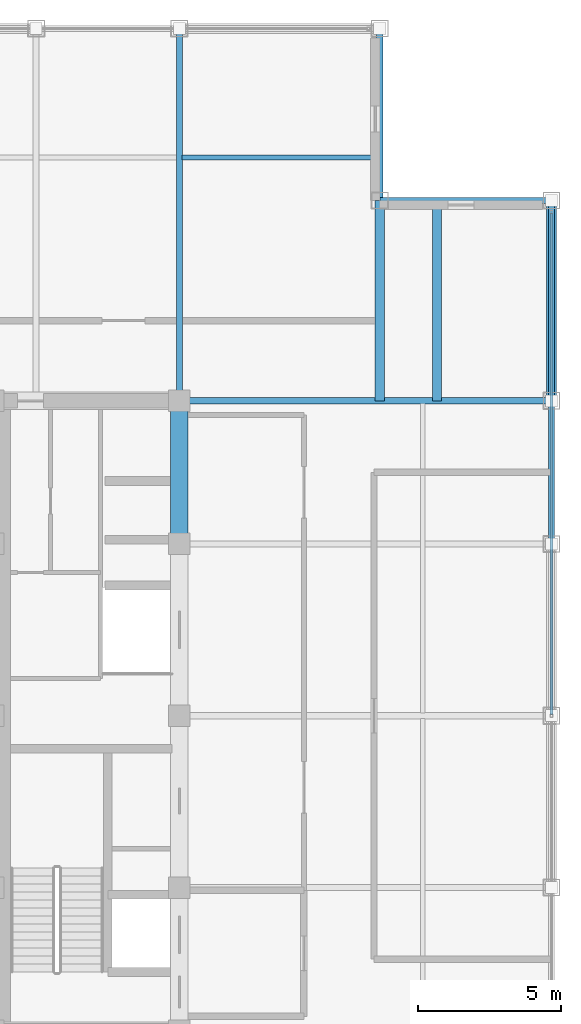
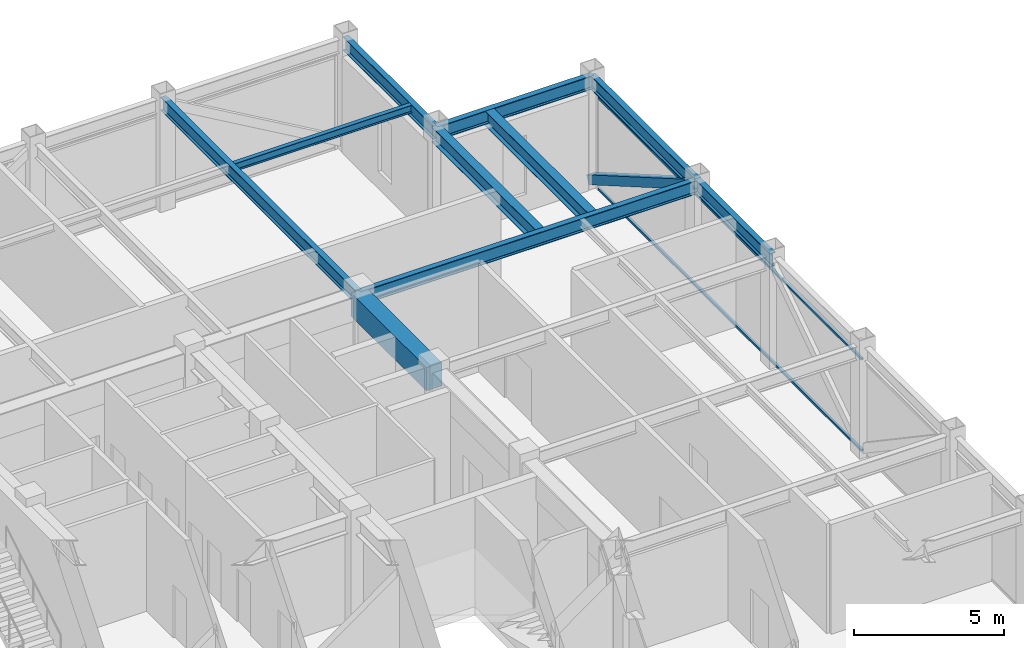
# One storey, part 19 of 27: 10 beams, 3 members, 1 element without a shape of its own.
"""IFC4 building model written with IfcOpenShell, lengths in metres."""

from ifc_helpers import new_model, si_unit, direction, frame, origin, origin_2d, place, context, subcontext, project, spatial, rectangle, hollow_rectangle, i_section, extrude, source, transform, mapped, material, material_profile, profile_set, type_object, element, aggregate, save


model = new_model("IFC4")

# Units and contexts
model_context = context("Model", 3, precision=1e-05, world=origin(), true_north=direction((0.0, 1.0)))
body_context = subcontext(model_context, "Body", "Model", "MODEL_VIEW")
ifc_project = project(units=[si_unit("LENGTHUNIT", "METRE"), si_unit("AREAUNIT", "SQUARE_METRE"), si_unit("VOLUMEUNIT", "CUBIC_METRE"), si_unit("PLANEANGLEUNIT", "RADIAN"), si_unit("MASSUNIT", "GRAM", prefix="KILO")], contexts=[model_context])

# Site, building, storey
site_placement = place(None, origin())
site = spatial("IfcSite", under=ifc_project, at=site_placement, CompositionType="ELEMENT")
building_placement = place(site_placement, origin())
building = spatial("IfcBuilding", under=site, at=building_placement, Name="Khorayat Bourse Tower", CompositionType="ELEMENT")
storey_placement = place(building_placement, frame((0.0, 0.0, 380.300048828125)))
storey = spatial("IfcBuildingStorey", under=building, at=storey_placement, Name="L90", CompositionType="ELEMENT", Elevation=380.300048828125)

# Beams
ifc_material_1 = material(Name="Concrete C60/75", Category="concrete")
ifc_material_profile_1 = material_profile(ifc_material_1, rectangle(XDim=0.60009765625, YDim=0.949951171875, at=origin_2d()), Name="RC 600x950")
ifc_profile_set_1 = profile_set([ifc_material_profile_1], Name="Concrete C60/75")
beam_type_1 = type_object("IfcBeamType", Name="BM-COUP-950", PredefinedType="BEAM", material=ifc_profile_set_1)
shared_shape_1 = source(origin(), body_context, "Body", "SweptSolid", [
    extrude(rectangle(XDim=0.60009765625, YDim=0.949951171875, at=origin_2d()), origin(), (0.0, 0.0, 1.0), 5.0),
])
beam_1_placement = place(storey_placement, frame((11.0, 6.0, 3.974853515625), z_axis=(0.0, 1.0, 0.0), x_axis=(-1.0, 0.0, 0.0)))
element("IfcBeam", 1, at=beam_1_placement, inside=storey, type_object=beam_type_1, Name="L90 BM-COUP-950 BM-L90-CRX-16", PredefinedType="BEAM", context=body_context, shape_type="MappedRepresentation", body=[
    mapped(shared_shape_1, transform((0.0, 0.0, 0.0), scale=1.0)),
])
ifc_material_2 = material(Name="Steel ASTM A992 Grade 50", Category="steel")
ifc_material_profile_2 = material_profile(ifc_material_2, i_section(OverallWidth=0.214111328125, OverallDepth=0.549072265625, WebThickness=0.0146484375, FlangeThickness=0.023681640625, FilletRadius=0.013916015625, at=origin_2d()), Name="W530X138")
ifc_profile_set_2 = profile_set([ifc_material_profile_2], Name="Steel ASTM A992 Grade 50")
beam_type_2 = type_object("IfcBeamType", Name="BM-SPAN-530", PredefinedType="SPANDREL", material=ifc_profile_set_2)
shared_shape_2 = source(origin(), body_context, "Body", "SweptSolid", [
    extrude(i_section(OverallWidth=0.214111328125, OverallDepth=0.549072265625, WebThickness=0.0146484375, FlangeThickness=0.023681640625, FilletRadius=0.013916015625, at=origin_2d()), origin(), (0.0, 0.0, 1.0), 5.0),
])
beam_2_placement = place(storey_placement, frame((24.0, 6.0, 4.175537109375), z_axis=(0.0, 1.0, 0.0), x_axis=(-1.0, 0.0, 0.0)))
element("IfcBeam", 2, at=beam_2_placement, inside=storey, type_object=beam_type_2, Name="L90 BM-SPAN-530 BM-L90-SPN-036", PredefinedType="SPANDREL", context=body_context, shape_type="MappedRepresentation", body=[
    mapped(shared_shape_2, transform((0.0, 0.0, 0.0), scale=1.0)),
])
shared_shape_3 = source(origin(), body_context, "Body", "SweptSolid", [
    extrude(i_section(OverallWidth=0.214111328125, OverallDepth=0.549072265625, WebThickness=0.0146484375, FlangeThickness=0.023681640625, FilletRadius=0.013916015625, at=origin_2d()), origin(), (0.0, 0.0, 1.0), 6.0),
])
for number, where, z_axis, x_axis, name in (
    (3, (18.0, 18.0, 4.175537109375), (1.0, 0.0, 0.0), (0.0, 1.0, 0.0), "L90 BM-SPAN-530 BM-L90-SPN-038"),
    (4, (18.0, 18.0, 4.175537109375), (0.0, 1.0, 0.0), (-1.0, 0.0, 0.0), "L90 BM-SPAN-530 BM-L90-SPN-039"),
):
    element("IfcBeam", number, at=place(storey_placement, frame(where, z_axis=z_axis, x_axis=x_axis)), inside=storey, type_object=beam_type_2, Name=name, PredefinedType="SPANDREL", context=body_context, shape_type="MappedRepresentation", body=[
        mapped(shared_shape_3, transform((0.0, 0.0, 0.0), scale=1.0)),
    ])
shared_shape_4 = source(origin(), body_context, "Body", "SweptSolid", [
    extrude(i_section(OverallWidth=0.214111328125, OverallDepth=0.549072265625, WebThickness=0.0146484375, FlangeThickness=0.023681640625, FilletRadius=0.013916015625, at=origin_2d()), origin(), (0.0, 0.0, 1.0), 7.0),
])
beam_3_placement = place(storey_placement, frame((24.0, 11.0, 4.175537109375), z_axis=(0.0, 1.0, 0.0), x_axis=(-1.0, 0.0, 0.0)))
element("IfcBeam", 5, at=beam_3_placement, inside=storey, type_object=beam_type_2, Name="L90 BM-SPAN-530 BM-L90-SPN-037", PredefinedType="SPANDREL", context=body_context, shape_type="MappedRepresentation", body=[
    mapped(shared_shape_4, transform((0.0, 0.0, 0.0), scale=1.0)),
])
ifc_material_profile_3 = material_profile(ifc_material_2, i_section(OverallWidth=0.214111328125, OverallDepth=0.549072265625, WebThickness=0.0146484375, FlangeThickness=0.023681640625, FilletRadius=0.013916015625, at=origin_2d()), Name="W530X138")
ifc_profile_set_3 = profile_set([ifc_material_profile_3], Name="Steel ASTM A992 Grade 50")
beam_type_3 = type_object("IfcBeamType", Name="BM-GIRD-530", PredefinedType="BEAM", material=ifc_profile_set_3)
shared_shape_5 = source(origin(), body_context, "Body", "SweptSolid", [
    extrude(i_section(OverallWidth=0.214111328125, OverallDepth=0.549072265625, WebThickness=0.0146484375, FlangeThickness=0.023681640625, FilletRadius=0.013916015625, at=origin_2d()), origin(), (0.0, 0.0, 1.0), 13.0),
])
for number, where, z_axis, x_axis, name in (
    (6, (11.0, 11.0, 4.175537109375), (0.0, 1.0, 0.0), (-1.0, 0.0, 0.0), "L90 BM-GIRD-530 BM-L90-RADY-064"),
    (7, (11.0, 11.0, 4.175537109375), (1.0, 0.0, 0.0), (0.0, 1.0, 0.0), "L90 BM-GIRD-530 BM-L90-RADX-074"),
):
    element("IfcBeam", number, at=place(storey_placement, frame(where, z_axis=z_axis, x_axis=x_axis)), inside=storey, type_object=beam_type_3, Name=name, PredefinedType="BEAM", context=body_context, shape_type="MappedRepresentation", body=[
        mapped(shared_shape_5, transform((0.0, 0.0, 0.0), scale=1.0)),
    ])
ifc_material_profile_4 = material_profile(ifc_material_2, i_section(OverallWidth=0.324951171875, OverallDepth=0.615966796875, WebThickness=0.013916015625, FlangeThickness=0.021484375, FilletRadius=0.01611328125, at=origin_2d()), Name="W610X174")
ifc_profile_set_4 = profile_set([ifc_material_profile_4], Name="Steel ASTM A992 Grade 50")
beam_type_4 = type_object("IfcBeamType", Name="BM-GIRD-610", PredefinedType="BEAM", material=ifc_profile_set_4)
shared_shape_6 = source(origin(), body_context, "Body", "SweptSolid", [
    extrude(i_section(OverallWidth=0.324951171875, OverallDepth=0.615966796875, WebThickness=0.013916015625, FlangeThickness=0.021484375, FilletRadius=0.01611328125, at=origin_2d()), origin(), (0.0, 0.0, 1.0), 7.0),
])
for number, where, z_axis, x_axis, name in (
    (8, (18.0, 11.0, 4.141845703125), (0.0, 1.0, 0.0), (-1.0, 0.0, 0.0), "L90 BM-GIRD-610 BM-L90-CNRY-079"),
    (9, (20.0, 11.0, 4.141845703125), (0.0, 1.0, 0.0), (-1.0, 0.0, 0.0), "L90 BM-GIRD-610 BM-L90-CNRY-083"),
):
    element("IfcBeam", number, at=place(storey_placement, frame(where, z_axis=z_axis, x_axis=x_axis)), inside=storey, type_object=beam_type_4, Name=name, PredefinedType="BEAM", context=body_context, shape_type="MappedRepresentation", body=[
        mapped(shared_shape_6, transform((0.0, 0.0, 0.0), scale=1.0)),
    ])
ifc_material_profile_5 = material_profile(ifc_material_2, i_section(OverallWidth=0.1669921875, OverallDepth=0.31689453125, WebThickness=0.007568359375, FlangeThickness=0.01318359375, FilletRadius=0.010009765625, at=origin_2d()), Name="W310X52")
ifc_profile_set_5 = profile_set([ifc_material_profile_5], Name="Steel ASTM A992 Grade 50")
beam_type_5 = type_object("IfcBeamType", Name="BM-JOIST-310", PredefinedType="JOIST", material=ifc_profile_set_5)
shared_shape_7 = source(origin(), body_context, "Body", "SweptSolid", [
    extrude(i_section(OverallWidth=0.1669921875, OverallDepth=0.31689453125, WebThickness=0.007568359375, FlangeThickness=0.01318359375, FilletRadius=0.010009765625, at=origin_2d()), origin(), (0.0, 0.0, 1.0), 6.81005859375),
])
beam_4_placement = place(storey_placement, frame((11.094970703125, 19.5, 4.29150390625), z_axis=(1.0, 0.0, 0.0), x_axis=(0.0, 1.0, 0.0)))
element("IfcBeam", 10, at=beam_4_placement, inside=storey, type_object=beam_type_5, Name="L90 BM-JOIST-310 BM-L90-JSTX-089", PredefinedType="JOIST", context=body_context, shape_type="MappedRepresentation", body=[
    mapped(shared_shape_7, transform((0.0, 0.0, 0.0), scale=1.0)),
])

# Member
ifc_material_3 = material(Name="Steel EN 10025-2 S355J2", Category="steel")
ifc_material_profile_6 = material_profile(ifc_material_3, hollow_rectangle(XDim=0.35009765625, YDim=0.35009765625, WallThickness=0.02001953125, at=origin_2d()), Name="HSS 350x350x20")
ifc_profile_set_6 = profile_set([ifc_material_profile_6], Name="Steel EN 10025-2 S355J2")
member_type_1 = type_object("IfcMemberType", Name="MBR-CROWN-350", PredefinedType="USERDEFINED", material=ifc_profile_set_6)
shared_shape_8 = source(origin(), body_context, "Body", "SweptSolid", [
    extrude(hollow_rectangle(XDim=0.35009765625, YDim=0.35009765625, WallThickness=0.02001953125, at=origin_2d()), origin(), (0.0, 0.0, 1.0), 8.087158203125),
])
member_1_placement = place(storey_placement, frame((24.0, 11.0, 4.25), z_axis=(0.0, 0.865564731219, -0.500797060763), x_axis=(-1.0, 0.0, 0.0)))
element("IfcMember", 11, at=member_1_placement, inside=storey, type_object=member_type_1, Name="L90 Lantern Crown Frame Member 16", ObjectType="CROWN FRAME", PredefinedType="USERDEFINED", context=body_context, shape_type="MappedRepresentation", body=[
    mapped(shared_shape_8, transform((0.0, 0.0, 0.0), scale=1.0)),
])

# Curtain wall, members
ifc_material_4 = material(Name="Aluminium EN AW-6063 T6", Category="aluminium")
curtain_wall_type = type_object("IfcCurtainWallType", Name="CW-SYS-07", PredefinedType="NOTDEFINED", material=ifc_material_4)
curtain_wall_placement = place(storey_placement, origin())
curtain_wall = element("IfcCurtainWall", 12, at=curtain_wall_placement, inside=storey, type_object=curtain_wall_type, Name="L90 Curtain Wall CW-L90-E1", PredefinedType="NOTDEFINED")
ifc_material_profile_7 = material_profile(ifc_material_4, hollow_rectangle(XDim=0.090087890625, YDim=0.090087890625, WallThickness=0.00390625, at=origin_2d()), Name="ALU 90x90x4")
ifc_profile_set_7 = profile_set([ifc_material_profile_7], Name="Aluminium EN AW-6063 T6")
member_type_2 = type_object("IfcMemberType", Name="CWT-HORZ-90", PredefinedType="USERDEFINED", material=ifc_profile_set_7)
shared_shape_9 = source(origin(), body_context, "Body", "SweptSolid", [
    extrude(hollow_rectangle(XDim=0.090087890625, YDim=0.090087890625, WallThickness=0.00390625, at=origin_2d()), origin(), (0.0, 0.0, 1.0), 17.5),
])
member_2_placement = place(storey_placement, frame((24.0, 0.050048828125, 0.044921875), z_axis=(0.0, 1.0, 0.0), x_axis=(-1.0, 0.0, 0.0)))
member_2 = element("IfcMember", 13, at=member_2_placement, type_object=member_type_2, Name="CW-L90-E1 Horizontal Transom 2-1", ObjectType="TRANSOM", PredefinedType="USERDEFINED", context=body_context, shape_type="MappedRepresentation", body=[
    mapped(shared_shape_9, transform((0.0, 0.0, 0.0), scale=1.0)),
])
member_3_placement = place(storey_placement, frame((24.0, 0.050048828125, 3.7548828125), z_axis=(0.0, 1.0, 0.0), x_axis=(-1.0, 0.0, 0.0)))
member_3 = element("IfcMember", 14, at=member_3_placement, type_object=member_type_2, Name="CW-L90-E1 Horizontal Transom 2-2", ObjectType="TRANSOM", PredefinedType="USERDEFINED", context=body_context, shape_type="MappedRepresentation", body=[
    mapped(shared_shape_9, transform((0.0, 0.0, 0.0), scale=1.0)),
])
aggregate(curtain_wall, [member_2, member_3])

save(model, "model.ifc")
